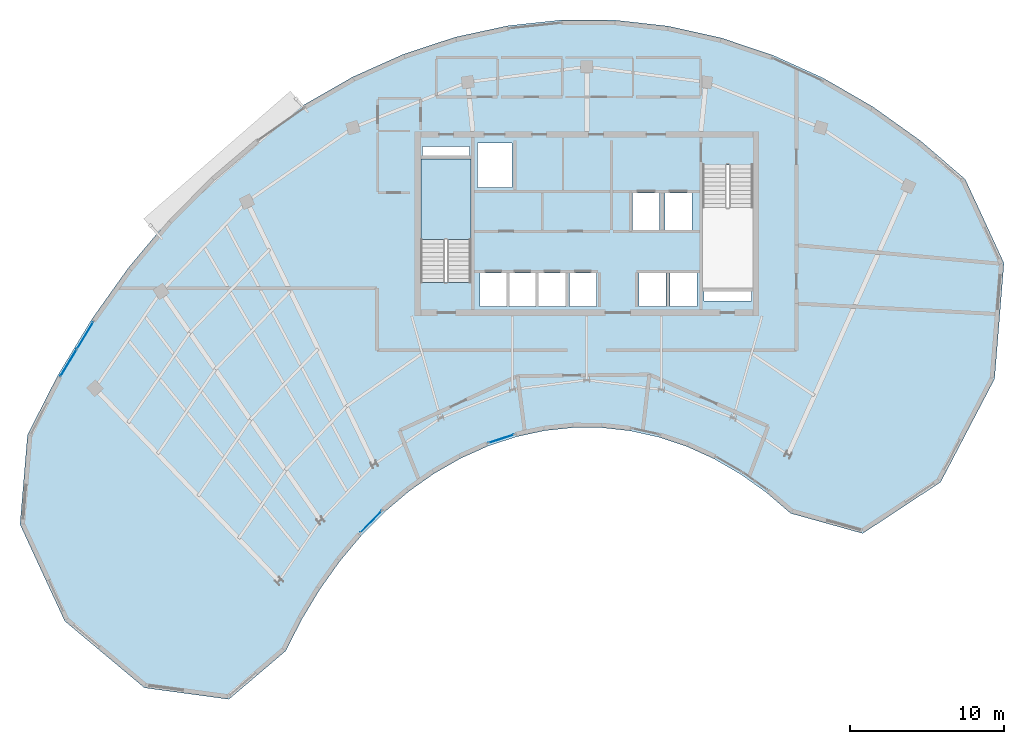
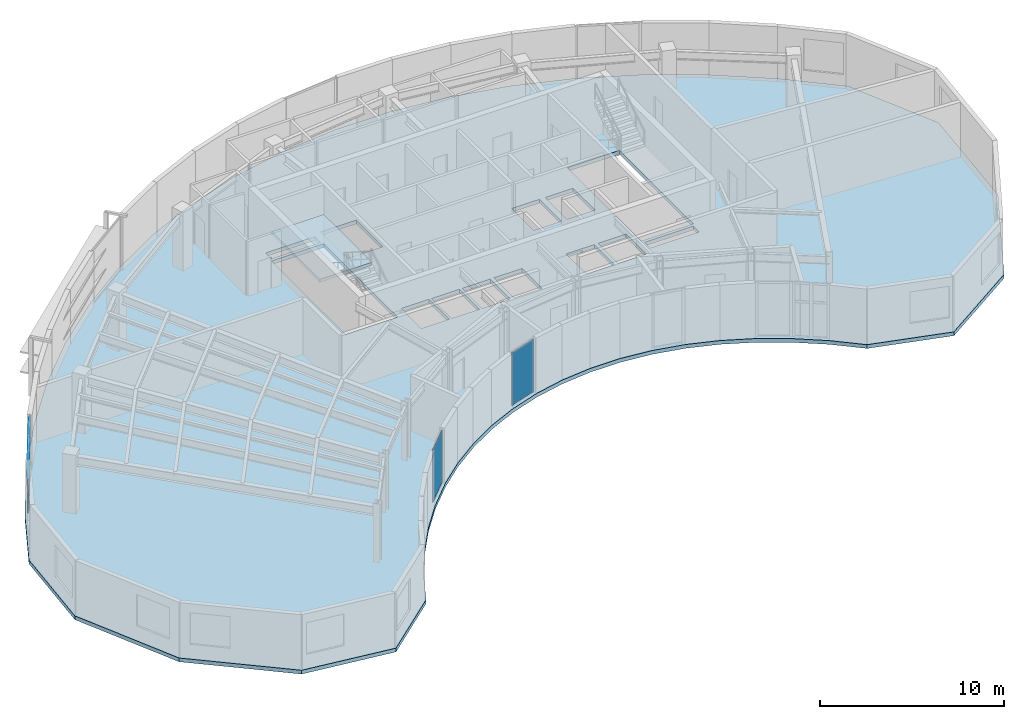
# One storey, part 6 of 12: 6 plates, 2 slabs, 4 elements without a shape of their own.
"""IFC4 building model written with IfcOpenShell, lengths in metres."""

from ifc_helpers import new_model, si_unit, direction, frame, origin, origin_2d, place, context, subcontext, project, spatial, polyline, rectangle, outline, extrude, source, transform, mapped, material, layer, layer_set, type_object, element, aggregate, save


model = new_model("IFC4")

# Units and contexts
model_context = context("Model", 3, precision=1e-05, world=origin(), true_north=direction((0.0, 1.0)))
body_context = subcontext(model_context, "Body", "Model", "MODEL_VIEW")
ifc_project = project(units=[si_unit("LENGTHUNIT", "METRE"), si_unit("AREAUNIT", "SQUARE_METRE"), si_unit("VOLUMEUNIT", "CUBIC_METRE"), si_unit("PLANEANGLEUNIT", "RADIAN"), si_unit("MASSUNIT", "GRAM", prefix="KILO")], contexts=[model_context])

# Site, building, storey
site_placement = place(None, origin())
site = spatial("IfcSite", under=ifc_project, at=site_placement, CompositionType="ELEMENT")
building_placement = place(site_placement, origin())
building = spatial("IfcBuilding", under=site, at=building_placement, Name="Breltana Convention Tower", CompositionType="ELEMENT")
storey_placement = place(building_placement, frame((0.0, 0.0, 267.89990234375)))
storey = spatial("IfcBuildingStorey", under=building, at=storey_placement, Name="L65", CompositionType="ELEMENT", Elevation=267.89990234375)

# Slab
ifc_material_1 = material(Name="Concrete C40/50", Category="concrete")
ifc_layer_1 = layer(ifc_material_1, 0.25, Name="Concrete C40/50")
ifc_layer_set_1 = layer_set([ifc_layer_1], Name="Concrete C40/50")
slab_type_1 = type_object("IfcSlabType", Name="SL-OFF-250", PredefinedType="FLOOR", material=ifc_layer_set_1)
slab_1_placement = place(storey_placement, frame((0.0, 0.0, -0.25)))
element("IfcSlab", 1, at=slab_1_placement, inside=storey, type_object=slab_type_1, Name="L65 Suspended Structural Floor Slab", PredefinedType="FLOOR", context=body_context, shape_type="SweptSolid", body=[
    extrude(outline(polyline([(72.6064453125, 69.08984375), (69.676513671875, 71.60791015625), (66.60400390625, 73.79931640625), (63.408935546875, 75.64990234375), (60.1123046875, 77.147216796875), (56.736083984375, 78.281494140625), (53.302490234375, 79.045166015625), (49.833984375, 79.43359375), (46.353271484375, 79.443603515625), (42.88330078125, 79.07568359375), (39.447021484375, 78.33203125), (36.067138671875, 77.21728515625), (32.765869140625, 75.739501953125), (29.56494140625, 73.90771484375), (26.485107421875, 71.734130859375), (23.547119140625, 69.233154296875), (20.77001953125, 66.42138671875), (18.172119140625, 63.317138671875), (15.770751953125, 59.94091796875), (13.58154296875, 56.314697265625), (11.61865234375, 52.462890625), (11.1318359375, 46.6376953125), (14.03759765625, 40.35205078125), (19.2265625, 36.00732421875), (24.71630859375, 35.262939453125), (28.41015625, 38.403076171875), (29.466796875, 40.477294921875), (30.645751953125, 42.4296875), (31.93896484375, 44.247802734375), (33.337646484375, 45.919189453125), (34.8330078125, 47.433349609375), (36.4150390625, 48.77978515625), (38.073486328125, 49.9501953125), (39.797119140625, 50.9365234375), (41.57470703125, 51.732421875), (43.39453125, 52.33251953125), (45.244873046875, 52.73291015625), (47.11328125, 52.93115234375), (48.987548828125, 52.92578125), (50.855224609375, 52.716552734375), (52.7041015625, 52.305419921875), (54.522216796875, 51.694580078125), (56.297119140625, 50.888427734375), (58.017578125, 49.891845703125), (59.672119140625, 48.7119140625), (61.24951171875, 47.35595703125), (65.941162109375, 46.047119140625), (71.009521484375, 49.388916015625), (74.51904296875, 56.10498046875), (75.12890625, 63.6298828125), (72.6064453125, 69.08984375)]), holes=[polyline([(37.199951171875, 62.385009765625), (40.469970703125, 62.385009765625), (40.469970703125, 70.39990234375), (37.199951171875, 70.39990234375), (37.199951171875, 62.385009765625)]), polyline([(55.530029296875, 62.0), (58.800048828125, 62.0), (58.800048828125, 70.014892578125), (55.530029296875, 70.014892578125), (55.530029296875, 62.0)]), polyline([(41.0400390625, 60.800048828125), (42.800048828125, 60.800048828125), (42.800048828125, 62.97998046875), (41.0400390625, 62.97998046875), (41.0400390625, 60.800048828125)]), polyline([(42.93994140625, 60.800048828125), (44.699951171875, 60.800048828125), (44.699951171875, 62.97998046875), (42.93994140625, 62.97998046875), (42.93994140625, 60.800048828125)]), polyline([(44.8701171875, 60.800048828125), (46.6298828125, 60.800048828125), (46.6298828125, 62.97998046875), (44.8701171875, 62.97998046875), (44.8701171875, 60.800048828125)]), polyline([(46.8701171875, 60.800048828125), (48.6298828125, 60.800048828125), (48.6298828125, 62.97998046875), (46.8701171875, 62.97998046875), (46.8701171875, 60.800048828125)]), polyline([(51.39990234375, 60.800048828125), (53.159912109375, 60.800048828125), (53.159912109375, 62.97998046875), (51.39990234375, 62.97998046875), (51.39990234375, 60.800048828125)]), polyline([(53.39990234375, 60.800048828125), (55.159912109375, 60.800048828125), (55.159912109375, 62.97998046875), (53.39990234375, 62.97998046875), (53.39990234375, 60.800048828125)]), polyline([(50.969970703125, 65.800048828125), (52.72998046875, 65.800048828125), (52.72998046875, 68.179931640625), (50.969970703125, 68.179931640625), (50.969970703125, 65.800048828125)]), polyline([(53.070068359375, 65.800048828125), (54.830078125, 65.800048828125), (54.830078125, 68.179931640625), (53.070068359375, 68.179931640625), (53.070068359375, 65.800048828125)]), polyline([(40.8798828125, 68.550048828125), (43.1201171875, 68.550048828125), (43.1201171875, 71.449951171875), (40.8798828125, 71.449951171875), (40.8798828125, 68.550048828125)]), polyline([(37.300048828125, 70.60009765625), (40.3798828125, 70.60009765625), (40.3798828125, 71.219970703125), (37.300048828125, 71.219970703125), (37.300048828125, 70.60009765625)]), polyline([(55.6201171875, 61.179931640625), (58.699951171875, 61.179931640625), (58.699951171875, 61.800048828125), (55.6201171875, 61.800048828125), (55.6201171875, 61.179931640625)])]), origin(), (0.0, 0.0, 1.0), 0.25),
])

# Stair, slab
stair_type = type_object("IfcStairType", Name="ST-DOG-1560-R177", PredefinedType="HALF_TURN_STAIR", material=ifc_material_1)
stair_placement = place(storey_placement, origin())
stair = element("IfcStair", 2, at=stair_placement, inside=storey, type_object=stair_type, Name="L65 Protected Core Exit Stair ST-1", PredefinedType="HALF_TURN_STAIR")
ifc_layer_2 = layer(ifc_material_1, 0.199951171875, Name="Concrete C40/50")
ifc_layer_set_2 = layer_set([ifc_layer_2], Name="Concrete C40/50")
slab_type_2 = type_object("IfcSlabType", Name="SL-STAIR-LANDING-200", PredefinedType="LANDING", material=ifc_layer_set_2)
slab_2_placement = place(storey_placement, frame((0.0, 0.0, 1.75)))
slab_2 = element("IfcSlab", 3, at=slab_2_placement, type_object=slab_type_2, Name="ST-1 landing 1", PredefinedType="LANDING", context=body_context, shape_type="SweptSolid", body=[
    extrude(outline(polyline([(40.469970703125, 65.159912109375), (40.469970703125, 70.39990234375), (37.199951171875, 70.39990234375), (37.199951171875, 65.159912109375), (40.469970703125, 65.159912109375)])), origin(), (0.0, 0.0, 1.0), 0.2001953125),
])
aggregate(stair, [slab_2])

# Curtain wall, plates
ifc_material_2 = material(Name="Aluminium Anodised Bronze Frame", Category="aluminium")
ifc_layer_3 = layer(ifc_material_2, 0.22998046875, Name="Aluminium Anodised Bronze Frame")
ifc_layer_set_3 = layer_set([ifc_layer_3], Name="Aluminium Anodised Bronze Frame")
curtain_wall_type_1 = type_object("IfcCurtainWallType", Name="CW-SYS-5", PredefinedType="NOTDEFINED", material=ifc_layer_set_3)
curtain_wall_1_placement = place(storey_placement, origin())
curtain_wall_1 = element("IfcCurtainWall", 4, at=curtain_wall_1_placement, inside=storey, type_object=curtain_wall_type_1, Name="L65 outer double-skin inner glazing 1", PredefinedType="NOTDEFINED")
ifc_material_3 = material(Name="Glass Low-E Double Glazing", Category="glass")
ifc_layer_4 = layer(ifc_material_3, 0.035888671875, Name="Glass Low-E Double Glazing")
ifc_layer_set_4 = layer_set([ifc_layer_4], Name="Glass Low-E Double Glazing")
plate_type_1 = type_object("IfcPlateType", Name="CWP-IGU-36", PredefinedType="CURTAIN_PANEL", material=ifc_layer_set_4)
shared_shape_1 = source(origin(), body_context, "Body", "SweptSolid", [
    extrude(rectangle(XDim=2.00634765625, YDim=0.035888671875, at=origin_2d()), origin(), (0.0, 0.0, 1.0), 2.267578125),
])
plate_1_placement = place(storey_placement, frame((14.29345703125, 57.14599609375, 0.070068359375), z_axis=(0.0, 0.0, 1.0), x_axis=(0.516865496947, 0.85606662011, 0.0)))
plate_1 = element("IfcPlate", 5, at=plate_1_placement, type_object=plate_type_1, Name="CW-05 panel 1.1", PredefinedType="CURTAIN_PANEL", context=body_context, shape_type="MappedRepresentation", body=[
    mapped(shared_shape_1, transform((0.0, 0.0, 0.0), scale=1.0)),
])
plate_2_placement = place(storey_placement, frame((15.36669921875, 58.92333984375, 0.070068359375), z_axis=(0.0, 0.0, 1.0), x_axis=(0.516865496947, 0.85606662011, 0.0)))
plate_2 = element("IfcPlate", 6, at=plate_2_placement, type_object=plate_type_1, Name="CW-05 panel 2.1", PredefinedType="CURTAIN_PANEL", context=body_context, shape_type="MappedRepresentation", body=[
    mapped(shared_shape_1, transform((0.0, 0.0, 0.0), scale=1.0)),
])
shared_shape_2 = source(origin(), body_context, "Body", "SweptSolid", [
    extrude(rectangle(XDim=2.00634765625, YDim=0.035888671875, at=origin_2d()), origin(), (0.0, 0.0, 1.0), 1.172607421875),
])
plate_3_placement = place(storey_placement, frame((14.29345703125, 57.14599609375, 2.40771484375), z_axis=(0.0, 0.0, 1.0), x_axis=(0.516865496947, 0.85606662011, 0.0)))
plate_3 = element("IfcPlate", 7, at=plate_3_placement, type_object=plate_type_1, Name="CW-05 panel 1.2", PredefinedType="CURTAIN_PANEL", context=body_context, shape_type="MappedRepresentation", body=[
    mapped(shared_shape_2, transform((0.0, 0.0, 0.0), scale=1.0)),
])
plate_4_placement = place(storey_placement, frame((15.36669921875, 58.92333984375, 2.40771484375), z_axis=(0.0, 0.0, 1.0), x_axis=(0.516865496947, 0.85606662011, 0.0)))
plate_4 = element("IfcPlate", 8, at=plate_4_placement, type_object=plate_type_1, Name="CW-05 panel 2.2", PredefinedType="CURTAIN_PANEL", context=body_context, shape_type="MappedRepresentation", body=[
    mapped(shared_shape_2, transform((0.0, 0.0, 0.0), scale=1.0)),
])
aggregate(curtain_wall_1, [plate_1, plate_3, plate_2, plate_4])

# Curtain wall, plate
ifc_layer_5 = layer(ifc_material_2, 0.18994140625, Name="Aluminium Anodised Bronze Frame")
ifc_layer_set_5 = layer_set([ifc_layer_5], Name="Aluminium Anodised Bronze Frame")
curtain_wall_type_2 = type_object("IfcCurtainWallType", Name="CW-SYS-1", PredefinedType="NOTDEFINED", material=ifc_layer_set_5)
curtain_wall_2_placement = place(storey_placement, origin())
curtain_wall_2 = element("IfcCurtainWall", 9, at=curtain_wall_2_placement, inside=storey, type_object=curtain_wall_type_2, Name="L65 inner south-court glazing 4", PredefinedType="NOTDEFINED")
ifc_layer_6 = layer(ifc_material_3, 0.028076171875, Name="Glass Low-E Double Glazing")
ifc_layer_set_6 = layer_set([ifc_layer_6], Name="Glass Low-E Double Glazing")
plate_type_2 = type_object("IfcPlateType", Name="CWP-IGU-28", PredefinedType="CURTAIN_PANEL", material=ifc_layer_set_6)
shared_shape_3 = source(origin(), body_context, "Body", "SweptSolid", [
    extrude(rectangle(XDim=1.75634765625, YDim=0.028076171875, at=origin_2d()), origin(), (0.0, 0.0, 1.0), 3.489990234375),
])
plate_5_placement = place(storey_placement, frame((42.42822265625, 52.203369140625, 0.080078125), z_axis=(0.0, 0.0, 1.0), x_axis=(-0.949701147025, -0.31315767808, 0.0)))
plate_5 = element("IfcPlate", 10, at=plate_5_placement, type_object=plate_type_2, Name="CW-01 panel 1.1", PredefinedType="CURTAIN_PANEL", context=body_context, shape_type="MappedRepresentation", body=[
    mapped(shared_shape_3, transform((0.0, 0.0, 0.0), scale=1.0)),
])
aggregate(curtain_wall_2, [plate_5])

curtain_wall_3_placement = place(storey_placement, origin())
curtain_wall_3 = element("IfcCurtainWall", 11, at=curtain_wall_3_placement, inside=storey, type_object=curtain_wall_type_2, Name="L65 inner south-court glazing 5", PredefinedType="NOTDEFINED")
shared_shape_4 = source(origin(), body_context, "Body", "SweptSolid", [
    extrude(rectangle(XDim=1.968017578125, YDim=0.028076171875, at=origin_2d()), origin(), (0.0, 0.0, 1.0), 3.489990234375),
])
plate_6_placement = place(storey_placement, frame((33.957275390625, 46.802734375, 0.080078125), z_axis=(0.0, 0.0, 1.0), x_axis=(-0.702699497037, -0.711486765066, 0.0)))
plate_6 = element("IfcPlate", 12, at=plate_6_placement, type_object=plate_type_2, Name="CW-01 panel 1.1", PredefinedType="CURTAIN_PANEL", context=body_context, shape_type="MappedRepresentation", body=[
    mapped(shared_shape_4, transform((0.0, 0.0, 0.0), scale=1.0)),
])
aggregate(curtain_wall_3, [plate_6])

save(model, "model.ifc")
